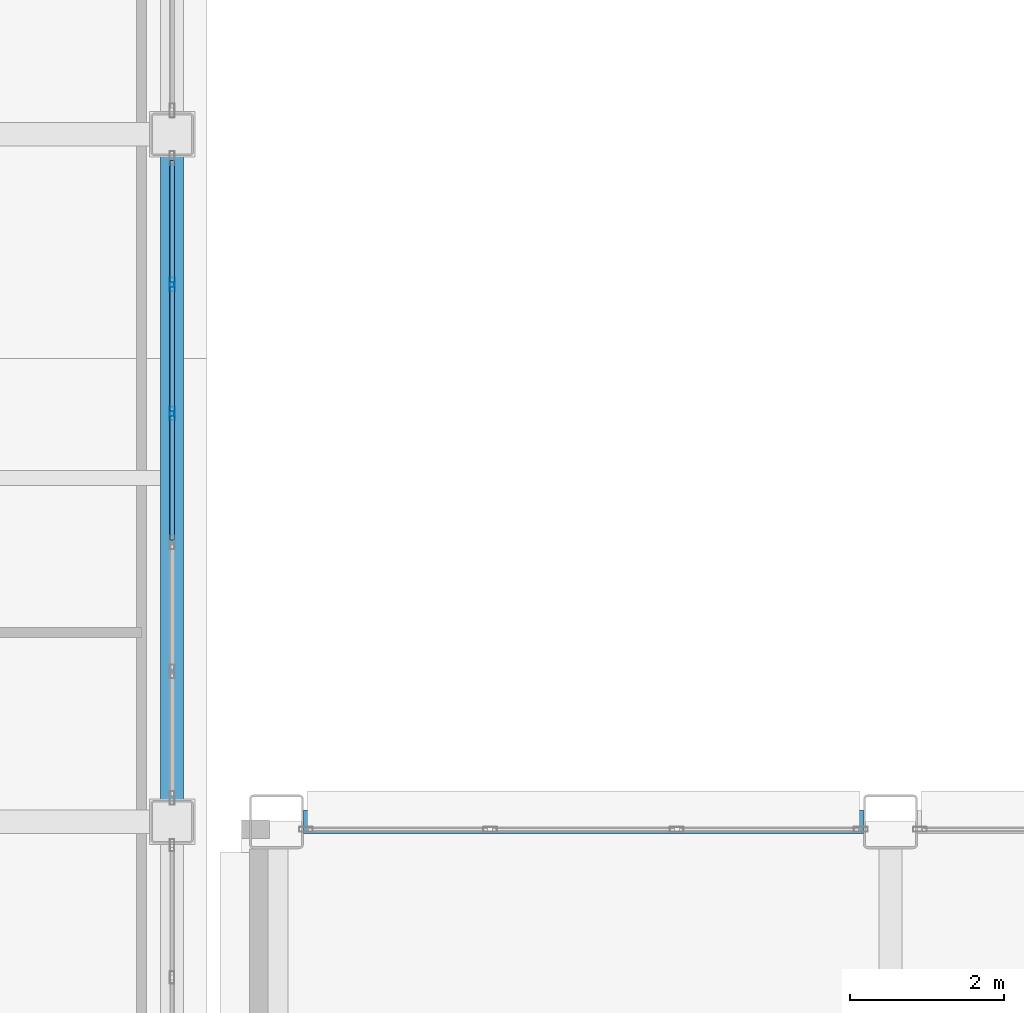
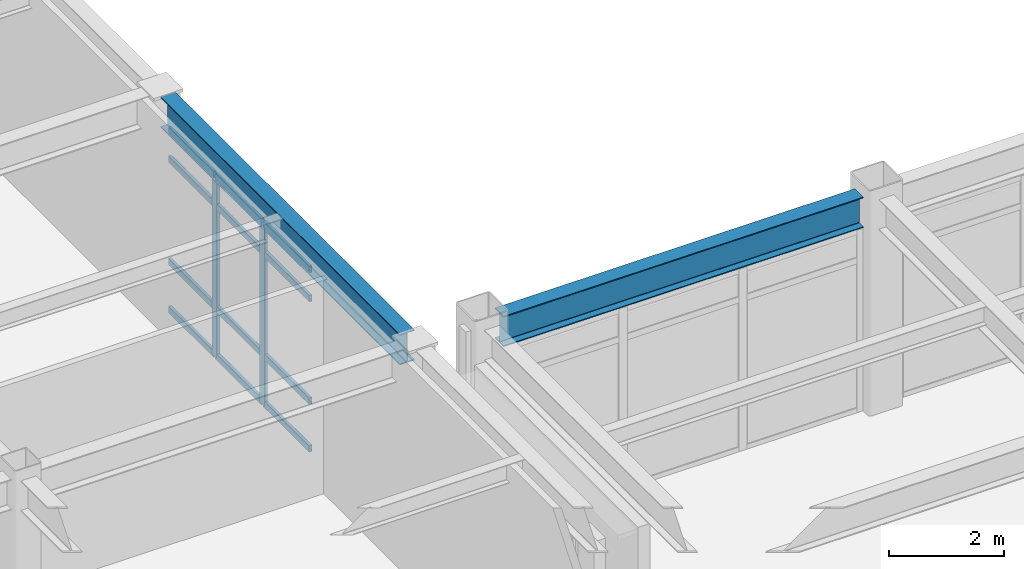
# One storey, part 57 of 154: 14 members, 2 beams, 1 element without a shape of its own.
"""IFC4 building model written with IfcOpenShell, lengths in metres."""

from ifc_helpers import new_model, si_unit, direction, frame, origin, origin_2d, place, context, subcontext, project, spatial, hollow_rectangle, i_section, extrude, material, layer, layer_set, material_profile, profile_set, type_object, element, aggregate, save


model = new_model("IFC4")

# Units and contexts
model_context = context("Model", 3, precision=1e-05, world=origin(), true_north=direction((0.0, 1.0)))
body_context = subcontext(model_context, "Body", "Model", "MODEL_VIEW")
ifc_project = project(units=[si_unit("LENGTHUNIT", "METRE"), si_unit("AREAUNIT", "SQUARE_METRE"), si_unit("VOLUMEUNIT", "CUBIC_METRE"), si_unit("PLANEANGLEUNIT", "RADIAN"), si_unit("MASSUNIT", "GRAM", prefix="KILO")], contexts=[model_context])

# Site, building, storey
site_placement = place(None, origin())
site = spatial("IfcSite", under=ifc_project, at=site_placement, CompositionType="ELEMENT")
building_placement = place(site_placement, origin())
building = spatial("IfcBuilding", under=site, at=building_placement, Name="Kazehara Bluff Congress Hotel", CompositionType="ELEMENT")
storey_placement = place(building_placement, frame((0.0, 0.0, 10.199951171875)))
storey = spatial("IfcBuildingStorey", under=building, at=storey_placement, Name="L02", CompositionType="ELEMENT", Elevation=10.199951171875)

# Curtain wall, members
ifc_material_1 = material(Name="Anodised aluminium", Category="aluminium")
ifc_layer = layer(ifc_material_1, 0.159912109375)
ifc_layer_set = layer_set([ifc_layer], Name="Anodised aluminium")
curtain_wall_type = type_object("IfcCurtainWallType", Name="TP-CW-58", PredefinedType="NOTDEFINED", material=ifc_layer_set)
curtain_wall_placement = place(storey_placement, origin())
curtain_wall = element("IfcCurtainWall", 1, at=curtain_wall_placement, inside=storey, type_object=curtain_wall_type, Name="L02 curtain wall CW-58 CW-V4-L02-X10920-3228", PredefinedType="NOTDEFINED")
ifc_material_2 = material(Name="Anodised aluminium", Category="aluminium")
ifc_material_profile_1 = material_profile(ifc_material_2, hollow_rectangle(XDim=0.06494140625, YDim=0.179931640625, WallThickness=0.00390625, InnerFilletRadius=0.00390625, OuterFilletRadius=0.008056640625, at=origin_2d()))
ifc_profile_set_1 = profile_set([ifc_material_profile_1], Name="Anodised aluminium")
member_type_1 = type_object("IfcMemberType", Name="TP-CWM-02", PredefinedType="MULLION", material=ifc_profile_set_1)
member_1_placement = place(storey_placement, frame((109.199951171875, 37.284912109375, 0.0), z_axis=(0.0, 0.0, 1.0), x_axis=(-1.0, 0.0, 0.0)))
member_1 = element("IfcMember", 2, at=member_1_placement, type_object=member_type_1, Name="CW-58 mullion 4", PredefinedType="MULLION", context=body_context, shape_type="SweptSolid", body=[
    extrude(hollow_rectangle(XDim=0.06494140625, YDim=0.179931640625, WallThickness=0.00390625, InnerFilletRadius=0.00390625, OuterFilletRadius=0.008056640625, at=origin_2d()), origin(), (0.0, 0.0, 1.0), 3.885009765625),
])
member_2_placement = place(storey_placement, frame((109.199951171875, 38.955078125, 0.0), z_axis=(0.0, 0.0, 1.0), x_axis=(-1.0, 0.0, 0.0)))
member_2 = element("IfcMember", 3, at=member_2_placement, type_object=member_type_1, Name="CW-58 mullion 5", PredefinedType="MULLION", context=body_context, shape_type="SweptSolid", body=[
    extrude(hollow_rectangle(XDim=0.06494140625, YDim=0.179931640625, WallThickness=0.00390625, InnerFilletRadius=0.00390625, OuterFilletRadius=0.008056640625, at=origin_2d()), origin(), (0.0, 0.0, 1.0), 3.885009765625),
])
ifc_material_3 = material(Name="Anodised aluminium", Category="aluminium")
ifc_material_profile_2 = material_profile(ifc_material_3, hollow_rectangle(XDim=0.06494140625, YDim=0.139892578125, WallThickness=0.00390625, InnerFilletRadius=0.00390625, OuterFilletRadius=0.008056640625, at=origin_2d()))
ifc_profile_set_2 = profile_set([ifc_material_profile_2], Name="Anodised aluminium")
member_type_2 = type_object("IfcMemberType", Name="TP-CWT-02", PredefinedType="USERDEFINED", material=ifc_profile_set_2)
member_3_placement = place(storey_placement, frame((109.199951171875, 35.6474609375, 0.032470703125), z_axis=(0.0, 1.0, 0.0), x_axis=(-1.0, 0.0, 0.0)))
member_3 = element("IfcMember", 4, at=member_3_placement, type_object=member_type_2, Name="CW-58 transom 3.1", ObjectType="TRANSOM", PredefinedType="USERDEFINED", context=body_context, shape_type="SweptSolid", body=[
    extrude(hollow_rectangle(XDim=0.06494140625, YDim=0.139892578125, WallThickness=0.00390625, InnerFilletRadius=0.00390625, OuterFilletRadius=0.008056640625, at=origin_2d()), origin(), (0.0, 0.0, 1.0), 1.60498046875),
])
member_4_placement = place(storey_placement, frame((109.199951171875, 35.6474609375, 1.050048828125), z_axis=(0.0, 1.0, 0.0), x_axis=(-1.0, 0.0, 0.0)))
member_4 = element("IfcMember", 5, at=member_4_placement, type_object=member_type_2, Name="CW-58 transom 3.2", ObjectType="TRANSOM", PredefinedType="USERDEFINED", context=body_context, shape_type="SweptSolid", body=[
    extrude(hollow_rectangle(XDim=0.06494140625, YDim=0.139892578125, WallThickness=0.00390625, InnerFilletRadius=0.00390625, OuterFilletRadius=0.008056640625, at=origin_2d()), origin(), (0.0, 0.0, 1.0), 1.60498046875),
])
member_5_placement = place(storey_placement, frame((109.199951171875, 35.6474609375, 3.235107421875), z_axis=(0.0, 1.0, 0.0), x_axis=(-1.0, 0.0, 0.0)))
member_5 = element("IfcMember", 6, at=member_5_placement, type_object=member_type_2, Name="CW-58 transom 3.3", ObjectType="TRANSOM", PredefinedType="USERDEFINED", context=body_context, shape_type="SweptSolid", body=[
    extrude(hollow_rectangle(XDim=0.06494140625, YDim=0.139892578125, WallThickness=0.00390625, InnerFilletRadius=0.00390625, OuterFilletRadius=0.008056640625, at=origin_2d()), origin(), (0.0, 0.0, 1.0), 1.60498046875),
])
member_6_placement = place(storey_placement, frame((109.199951171875, 35.6474609375, 3.8525390625), z_axis=(0.0, 1.0, 0.0), x_axis=(-1.0, 0.0, 0.0)))
member_6 = element("IfcMember", 7, at=member_6_placement, type_object=member_type_2, Name="CW-58 transom 3.4", ObjectType="TRANSOM", PredefinedType="USERDEFINED", context=body_context, shape_type="SweptSolid", body=[
    extrude(hollow_rectangle(XDim=0.06494140625, YDim=0.139892578125, WallThickness=0.00390625, InnerFilletRadius=0.00390625, OuterFilletRadius=0.008056640625, at=origin_2d()), origin(), (0.0, 0.0, 1.0), 1.60498046875),
])
member_7_placement = place(storey_placement, frame((109.199951171875, 37.3173828125, 0.032470703125), z_axis=(0.0, 1.0, 0.0), x_axis=(-1.0, 0.0, 0.0)))
member_7 = element("IfcMember", 8, at=member_7_placement, type_object=member_type_2, Name="CW-58 transom 4.1", ObjectType="TRANSOM", PredefinedType="USERDEFINED", context=body_context, shape_type="SweptSolid", body=[
    extrude(hollow_rectangle(XDim=0.06494140625, YDim=0.139892578125, WallThickness=0.00390625, InnerFilletRadius=0.00390625, OuterFilletRadius=0.008056640625, at=origin_2d()), origin(), (0.0, 0.0, 1.0), 1.605224609375),
])
member_8_placement = place(storey_placement, frame((109.199951171875, 37.3173828125, 1.050048828125), z_axis=(0.0, 1.0, 0.0), x_axis=(-1.0, 0.0, 0.0)))
member_8 = element("IfcMember", 9, at=member_8_placement, type_object=member_type_2, Name="CW-58 transom 4.2", ObjectType="TRANSOM", PredefinedType="USERDEFINED", context=body_context, shape_type="SweptSolid", body=[
    extrude(hollow_rectangle(XDim=0.06494140625, YDim=0.139892578125, WallThickness=0.00390625, InnerFilletRadius=0.00390625, OuterFilletRadius=0.008056640625, at=origin_2d()), origin(), (0.0, 0.0, 1.0), 1.605224609375),
])
member_9_placement = place(storey_placement, frame((109.199951171875, 37.3173828125, 3.235107421875), z_axis=(0.0, 1.0, 0.0), x_axis=(-1.0, 0.0, 0.0)))
member_9 = element("IfcMember", 10, at=member_9_placement, type_object=member_type_2, Name="CW-58 transom 4.3", ObjectType="TRANSOM", PredefinedType="USERDEFINED", context=body_context, shape_type="SweptSolid", body=[
    extrude(hollow_rectangle(XDim=0.06494140625, YDim=0.139892578125, WallThickness=0.00390625, InnerFilletRadius=0.00390625, OuterFilletRadius=0.008056640625, at=origin_2d()), origin(), (0.0, 0.0, 1.0), 1.605224609375),
])
member_10_placement = place(storey_placement, frame((109.199951171875, 37.3173828125, 3.8525390625), z_axis=(0.0, 1.0, 0.0), x_axis=(-1.0, 0.0, 0.0)))
member_10 = element("IfcMember", 11, at=member_10_placement, type_object=member_type_2, Name="CW-58 transom 4.4", ObjectType="TRANSOM", PredefinedType="USERDEFINED", context=body_context, shape_type="SweptSolid", body=[
    extrude(hollow_rectangle(XDim=0.06494140625, YDim=0.139892578125, WallThickness=0.00390625, InnerFilletRadius=0.00390625, OuterFilletRadius=0.008056640625, at=origin_2d()), origin(), (0.0, 0.0, 1.0), 1.605224609375),
])
member_11_placement = place(storey_placement, frame((109.199951171875, 38.987548828125, 0.032470703125), z_axis=(0.0, 1.0, 0.0), x_axis=(-1.0, 0.0, 0.0)))
member_11 = element("IfcMember", 12, at=member_11_placement, type_object=member_type_2, Name="CW-58 transom 5.1", ObjectType="TRANSOM", PredefinedType="USERDEFINED", context=body_context, shape_type="SweptSolid", body=[
    extrude(hollow_rectangle(XDim=0.06494140625, YDim=0.139892578125, WallThickness=0.00390625, InnerFilletRadius=0.00390625, OuterFilletRadius=0.008056640625, at=origin_2d()), origin(), (0.0, 0.0, 1.0), 1.572509765625),
])
member_12_placement = place(storey_placement, frame((109.199951171875, 38.987548828125, 1.050048828125), z_axis=(0.0, 1.0, 0.0), x_axis=(-1.0, 0.0, 0.0)))
member_12 = element("IfcMember", 13, at=member_12_placement, type_object=member_type_2, Name="CW-58 transom 5.2", ObjectType="TRANSOM", PredefinedType="USERDEFINED", context=body_context, shape_type="SweptSolid", body=[
    extrude(hollow_rectangle(XDim=0.06494140625, YDim=0.139892578125, WallThickness=0.00390625, InnerFilletRadius=0.00390625, OuterFilletRadius=0.008056640625, at=origin_2d()), origin(), (0.0, 0.0, 1.0), 1.572509765625),
])
member_13_placement = place(storey_placement, frame((109.199951171875, 38.987548828125, 3.235107421875), z_axis=(0.0, 1.0, 0.0), x_axis=(-1.0, 0.0, 0.0)))
member_13 = element("IfcMember", 14, at=member_13_placement, type_object=member_type_2, Name="CW-58 transom 5.3", ObjectType="TRANSOM", PredefinedType="USERDEFINED", context=body_context, shape_type="SweptSolid", body=[
    extrude(hollow_rectangle(XDim=0.06494140625, YDim=0.139892578125, WallThickness=0.00390625, InnerFilletRadius=0.00390625, OuterFilletRadius=0.008056640625, at=origin_2d()), origin(), (0.0, 0.0, 1.0), 1.572509765625),
])
member_14_placement = place(storey_placement, frame((109.199951171875, 38.987548828125, 3.8525390625), z_axis=(0.0, 1.0, 0.0), x_axis=(-1.0, 0.0, 0.0)))
member_14 = element("IfcMember", 15, at=member_14_placement, type_object=member_type_2, Name="CW-58 transom 5.4", ObjectType="TRANSOM", PredefinedType="USERDEFINED", context=body_context, shape_type="SweptSolid", body=[
    extrude(hollow_rectangle(XDim=0.06494140625, YDim=0.139892578125, WallThickness=0.00390625, InnerFilletRadius=0.00390625, OuterFilletRadius=0.008056640625, at=origin_2d()), origin(), (0.0, 0.0, 1.0), 1.572509765625),
])
aggregate(curtain_wall, [member_1, member_2, member_3, member_4, member_5, member_6, member_7, member_8, member_9, member_10, member_11, member_12, member_13, member_14])

# Beams
ifc_material_4 = material(Name="Steel SN490B", Category="steel")
ifc_material_profile_3 = material_profile(ifc_material_4, i_section(OverallWidth=0.300048828125, OverallDepth=0.64990234375, WebThickness=0.011962890625, FlangeThickness=0.02001953125, FilletRadius=0.012939453125, at=origin_2d()))
ifc_profile_set_3 = profile_set([ifc_material_profile_3], Name="Steel SN490B")
beam_type = type_object("IfcBeamType", Name="TP-G-03", PredefinedType="BEAM", material=ifc_profile_set_3)
beam_1_placement = place(storey_placement, frame((109.199951171875, 32.27490234375, 4.235107421875), z_axis=(0.0, 1.0, 0.0), x_axis=(-1.0, 0.0, 0.0)))
element("IfcBeam", 16, at=beam_1_placement, inside=storey, type_object=beam_type, Name="L02 girder G-03 91", PredefinedType="BEAM", context=body_context, shape_type="SweptSolid", body=[
    extrude(i_section(OverallWidth=0.300048828125, OverallDepth=0.64990234375, WebThickness=0.011962890625, FlangeThickness=0.02001953125, FilletRadius=0.012939453125, at=origin_2d()), origin(), (0.0, 0.0, 1.0), 8.35009765625),
])
beam_2_placement = place(storey_placement, frame((110.89990234375, 32.0, 4.235107421875), z_axis=(1.0, 0.0, 0.0), x_axis=(0.0, 1.0, 0.0)))
element("IfcBeam", 17, at=beam_2_placement, inside=storey, type_object=beam_type, Name="L02 girder G-03 199", PredefinedType="BEAM", context=body_context, shape_type="SweptSolid", body=[
    extrude(i_section(OverallWidth=0.300048828125, OverallDepth=0.64990234375, WebThickness=0.011962890625, FlangeThickness=0.02001953125, FilletRadius=0.012939453125, at=origin_2d()), origin(), (0.0, 0.0, 1.0), 7.25),
])

save(model, "model.ifc")
